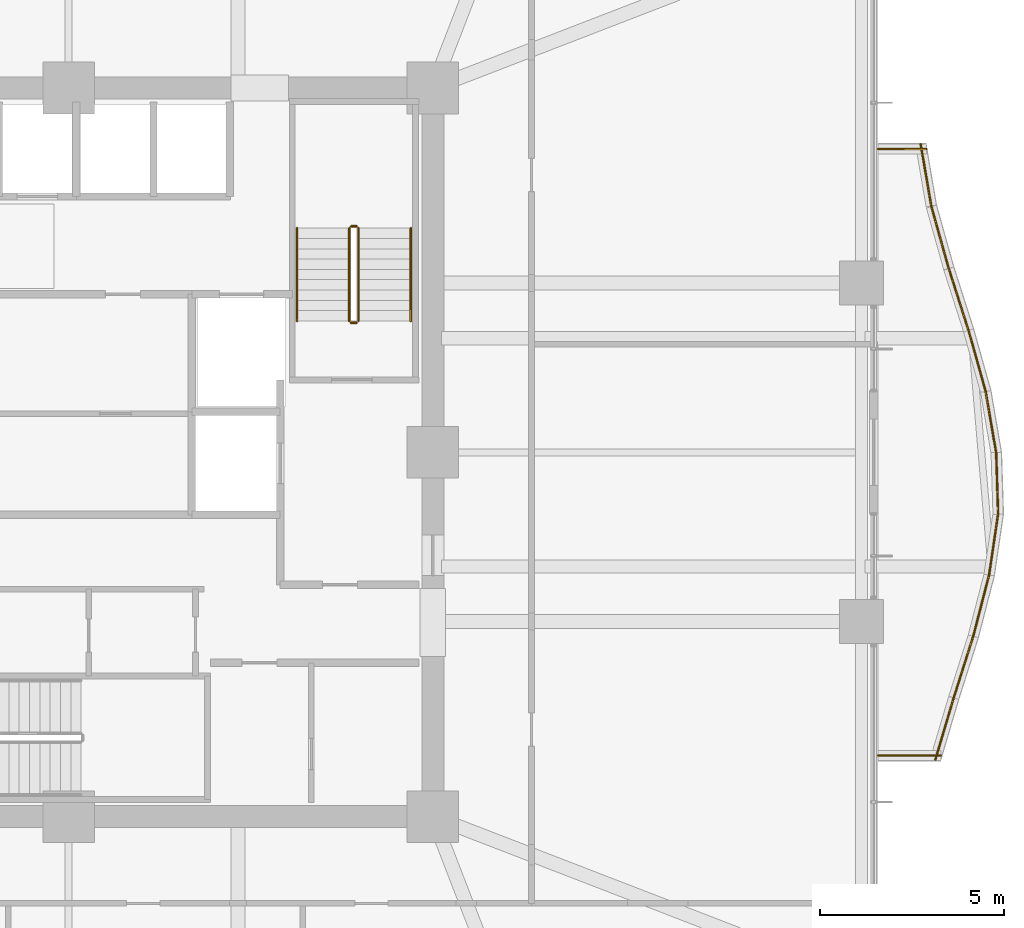
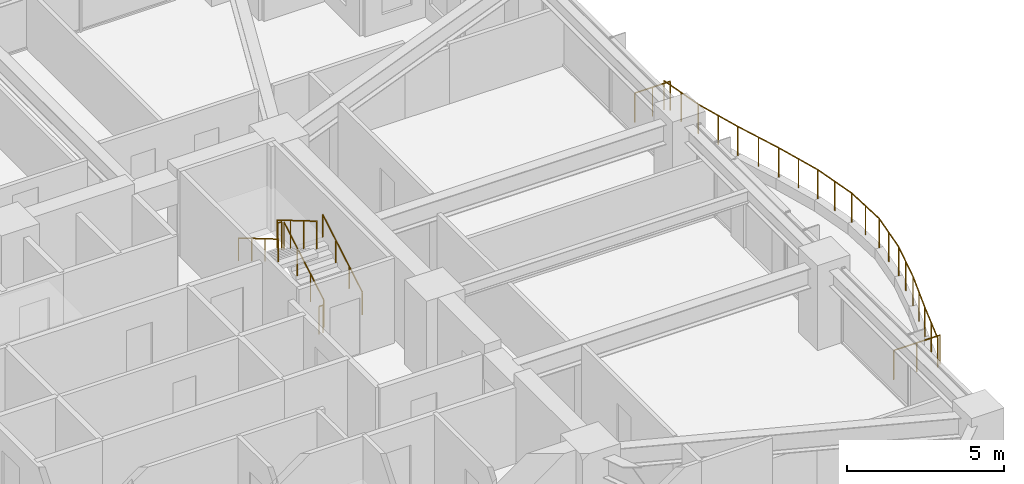
# One storey, part 38 of 38: 18 railings.
"""IFC4 building model written with IfcOpenShell, lengths in metres."""

from ifc_helpers import new_model, si_unit, direction, frame, origin, origin_2d, place, context, subcontext, project, spatial, circle, extrude, material, type_object, element, save


model = new_model("IFC4")

# Units and contexts
model_context = context("Model", 3, precision=1e-05, world=origin(), true_north=direction((0.0, 1.0)))
body_context = subcontext(model_context, "Body", "Model", "MODEL_VIEW")
ifc_project = project(units=[si_unit("LENGTHUNIT", "METRE"), si_unit("AREAUNIT", "SQUARE_METRE"), si_unit("VOLUMEUNIT", "CUBIC_METRE"), si_unit("PLANEANGLEUNIT", "RADIAN"), si_unit("MASSUNIT", "GRAM", prefix="KILO")], contexts=[model_context])

# Site, building, storey
site_placement = place(None, origin())
site = spatial("IfcSite", under=ifc_project, at=site_placement, CompositionType="ELEMENT")
building_placement = place(site_placement, origin())
building = spatial("IfcBuilding", under=site, at=building_placement, Name="Kolvaren Belvedere", CompositionType="ELEMENT")
storey_placement = place(building_placement, frame((0.0, 0.0, 60.10009765625)))
storey = spatial("IfcBuildingStorey", under=building, at=storey_placement, Name="L17", CompositionType="ELEMENT", Elevation=60.10009765625)

# Railings
ifc_material_1 = material(Name="Anodised pale-metal aluminium & laminated glass guard", Category="aluminium")
railing_type_1 = type_object("IfcRailingType", Name="RL-GUARD-1150", PredefinedType="GUARDRAIL", material=ifc_material_1)
railing_1_placement = place(storey_placement, frame((23.5517578125, -8.3544921875, 0.35986328125)))
element("IfcRailing", 1, at=railing_1_placement, inside=storey, type_object=railing_type_1, Name="L17 Exterior Deck Safety Guard BAL-E-1", PredefinedType="GUARDRAIL", context=body_context, shape_type="SweptSolid", body=[
    extrude(circle(Radius=0.02392578125, at=origin_2d()), frame((0.0, 0.0, 1.1259765625), z_axis=(0.284970268083, 0.958536356279, 0.0), x_axis=(-0.958536356279, 0.284970268083, 0.0)), (0.0, 0.0, 1.0), 1.7529296875),
    extrude(circle(Radius=0.02099609375, at=origin_2d()), origin(), (0.0, 0.0, 1.0), 1.101806640625),
    extrude(circle(Radius=0.02099609375, at=origin_2d()), frame((0.249755859375, 0.840087890625, 0.0)), (0.0, 0.0, 1.0), 1.101806640625),
    extrude(circle(Radius=0.02099609375, at=origin_2d()), frame((0.49951171875, 1.68017578125, 0.0)), (0.0, 0.0, 1.0), 1.101806640625),
])
railing_2_placement = place(storey_placement, frame((24.052001953125, -6.671630859375, 0.35986328125)))
element("IfcRailing", 2, at=railing_2_placement, inside=storey, type_object=railing_type_1, Name="L17 Exterior Deck Safety Guard BAL-E-2", PredefinedType="GUARDRAIL", context=body_context, shape_type="SweptSolid", body=[
    extrude(circle(Radius=0.02392578125, at=origin_2d()), frame((0.0, 0.0, 1.1259765625), z_axis=(0.302523204768, 0.953142020151, 0.0), x_axis=(-0.953142020151, 0.302523204768, 0.0)), (0.0, 0.0, 1.0), 1.762451171875),
    extrude(circle(Radius=0.02099609375, at=origin_2d()), origin(), (0.0, 0.0, 1.0), 1.101806640625),
    extrude(circle(Radius=0.02099609375, at=origin_2d()), frame((0.2666015625, 0.83984375, 0.0)), (0.0, 0.0, 1.0), 1.101806640625),
    extrude(circle(Radius=0.02099609375, at=origin_2d()), frame((0.533203125, 1.679931640625, 0.0)), (0.0, 0.0, 1.0), 1.101806640625),
])
railing_3_placement = place(storey_placement, frame((24.582763671875, -5.0, 0.35986328125)))
element("IfcRailing", 3, at=railing_3_placement, inside=storey, type_object=railing_type_1, Name="L17 Exterior Deck Safety Guard BAL-E-3", PredefinedType="GUARDRAIL", context=body_context, shape_type="SweptSolid", body=[
    extrude(circle(Radius=0.02392578125, at=origin_2d()), frame((0.0, 0.0, 1.1259765625), z_axis=(0.250405556038, 0.968141031826, 0.0), x_axis=(-0.968141031826, 0.250405556038, 0.0)), (0.0, 0.0, 1.0), 1.7353515625),
    extrude(circle(Radius=0.02099609375, at=origin_2d()), origin(), (0.0, 0.0, 1.0), 1.101806640625),
    extrude(circle(Radius=0.02099609375, at=origin_2d()), frame((0.21728515625, 0.840087890625, 0.0)), (0.0, 0.0, 1.0), 1.101806640625),
    extrude(circle(Radius=0.02099609375, at=origin_2d()), frame((0.4345703125, 1.68017578125, 0.0)), (0.0, 0.0, 1.0), 1.101806640625),
])
railing_4_placement = place(storey_placement, frame((25.013916015625, -3.336669921875, 0.35986328125)))
element("IfcRailing", 4, at=railing_4_placement, inside=storey, type_object=railing_type_1, Name="L17 Exterior Deck Safety Guard BAL-E-4", PredefinedType="GUARDRAIL", context=body_context, shape_type="SweptSolid", body=[
    extrude(circle(Radius=0.02392578125, at=origin_2d()), frame((0.0, 0.0, 1.1259765625), z_axis=(0.145928579368, 0.989295127716, 0.0), x_axis=(-0.989295127716, 0.145928579368, 0.0)), (0.0, 0.0, 1.0), 1.697998046875),
    extrude(circle(Radius=0.02099609375, at=origin_2d()), origin(), (0.0, 0.0, 1.0), 1.101806640625),
    extrude(circle(Radius=0.02099609375, at=origin_2d()), frame((0.1240234375, 0.83984375, 0.0)), (0.0, 0.0, 1.0), 1.101806640625),
    extrude(circle(Radius=0.02099609375, at=origin_2d()), frame((0.247802734375, 1.679931640625, 0.0)), (0.0, 0.0, 1.0), 1.101806640625),
])
railing_5_placement = place(storey_placement, frame((25.260009765625, -1.68505859375, 0.35986328125)))
element("IfcRailing", 5, at=railing_5_placement, inside=storey, type_object=railing_type_1, Name="L17 Exterior Deck Safety Guard BAL-E-5", PredefinedType="GUARDRAIL", context=body_context, shape_type="SweptSolid", body=[
    extrude(circle(Radius=0.02392578125, at=origin_2d()), frame((0.0, 0.0, 1.1259765625), z_axis=(-0.031370777138, 0.999507816048, 0.0), x_axis=(-0.999507816048, -0.031370777138, 0.0)), (0.0, 0.0, 1.0), 1.680908203125),
    extrude(circle(Radius=0.02099609375, at=origin_2d()), origin(), (0.0, 0.0, 1.0), 1.101806640625),
    extrude(circle(Radius=0.02099609375, at=origin_2d()), frame((-0.0263671875, 0.840087890625, 0.0)), (0.0, 0.0, 1.0), 1.101806640625),
    extrude(circle(Radius=0.02099609375, at=origin_2d()), frame((-0.052734375, 1.68017578125, 0.0)), (0.0, 0.0, 1.0), 1.101806640625),
])
railing_6_placement = place(storey_placement, frame((25.20947265625, -0.027099609375, 0.35986328125)))
element("IfcRailing", 6, at=railing_6_placement, inside=storey, type_object=railing_type_1, Name="L17 Exterior Deck Safety Guard BAL-E-6", PredefinedType="GUARDRAIL", context=body_context, shape_type="SweptSolid", body=[
    extrude(circle(Radius=0.02392578125, at=origin_2d()), frame((0.0, 0.0, 1.1259765625), z_axis=(-0.168856484225, 0.985640648378, 0.0), x_axis=(-0.985640648378, -0.168856484225, 0.0)), (0.0, 0.0, 1.0), 1.70458984375),
    extrude(circle(Radius=0.02099609375, at=origin_2d()), origin(), (0.0, 0.0, 1.0), 1.101806640625),
    extrude(circle(Radius=0.02099609375, at=origin_2d()), frame((-0.14404296875, 0.840087890625, 0.0)), (0.0, 0.0, 1.0), 1.101806640625),
    extrude(circle(Radius=0.02099609375, at=origin_2d()), frame((-0.287841796875, 1.68017578125, 0.0)), (0.0, 0.0, 1.0), 1.101806640625),
])
railing_7_placement = place(storey_placement, frame((24.92529296875, 1.63671875, 0.35986328125)))
element("IfcRailing", 7, at=railing_7_placement, inside=storey, type_object=railing_type_1, Name="L17 Exterior Deck Safety Guard BAL-E-7", PredefinedType="GUARDRAIL", context=body_context, shape_type="SweptSolid", body=[
    extrude(circle(Radius=0.02392578125, at=origin_2d()), frame((0.0, 0.0, 1.1259765625), z_axis=(-0.269764860108, 0.962926227834, 0.0), x_axis=(-0.962926227834, -0.269764860108, 0.0)), (0.0, 0.0, 1.0), 1.744873046875),
    extrude(circle(Radius=0.02099609375, at=origin_2d()), origin(), (0.0, 0.0, 1.0), 1.101806640625),
    extrude(circle(Radius=0.02099609375, at=origin_2d()), frame((-0.2353515625, 0.840087890625, 0.0)), (0.0, 0.0, 1.0), 1.101806640625),
    extrude(circle(Radius=0.02099609375, at=origin_2d()), frame((-0.470703125, 1.68017578125, 0.0)), (0.0, 0.0, 1.0), 1.101806640625),
])
railing_8_placement = place(storey_placement, frame((24.456298828125, 3.311279296875, 0.35986328125)))
element("IfcRailing", 8, at=railing_8_placement, inside=storey, type_object=railing_type_1, Name="L17 Exterior Deck Safety Guard BAL-E-8", PredefinedType="GUARDRAIL", context=body_context, shape_type="SweptSolid", body=[
    extrude(circle(Radius=0.02392578125, at=origin_2d()), frame((0.0, 0.0, 1.1259765625), z_axis=(-0.304660208284, 0.952461105499, 0.0), x_axis=(-0.952461105499, -0.304660208284, 0.0)), (0.0, 0.0, 1.0), 1.763671875),
    extrude(circle(Radius=0.02099609375, at=origin_2d()), origin(), (0.0, 0.0, 1.0), 1.101806640625),
    extrude(circle(Radius=0.02099609375, at=origin_2d()), frame((-0.2685546875, 0.83984375, 0.0)), (0.0, 0.0, 1.0), 1.101806640625),
    extrude(circle(Radius=0.02099609375, at=origin_2d()), frame((-0.537353515625, 1.679931640625, 0.0)), (0.0, 0.0, 1.0), 1.101806640625),
])
railing_9_placement = place(storey_placement, frame((23.917236328125, 4.996826171875, 0.35986328125)))
element("IfcRailing", 9, at=railing_9_placement, inside=storey, type_object=railing_type_1, Name="L17 Exterior Deck Safety Guard BAL-E-9", PredefinedType="GUARDRAIL", context=body_context, shape_type="SweptSolid", body=[
    extrude(circle(Radius=0.02392578125, at=origin_2d()), frame((0.0, 0.0, 1.1259765625), z_axis=(-0.269801210823, 0.962916043401, 0.0), x_axis=(-0.962916043401, -0.269801210823, 0.0)), (0.0, 0.0, 1.0), 1.74462890625),
    extrude(circle(Radius=0.02099609375, at=origin_2d()), origin(), (0.0, 0.0, 1.0), 1.101806640625),
    extrude(circle(Radius=0.02099609375, at=origin_2d()), frame((-0.2353515625, 0.83984375, 0.0)), (0.0, 0.0, 1.0), 1.101806640625),
    extrude(circle(Radius=0.02099609375, at=origin_2d()), frame((-0.470703125, 1.679931640625, 0.0)), (0.0, 0.0, 1.0), 1.101806640625),
])
railing_10_placement = place(storey_placement, frame((23.443115234375, 6.693115234375, 0.35986328125)))
element("IfcRailing", 10, at=railing_10_placement, inside=storey, type_object=railing_type_1, Name="L17 Exterior Deck Safety Guard BAL-E-10", PredefinedType="GUARDRAIL", context=body_context, shape_type="SweptSolid", body=[
    extrude(circle(Radius=0.02392578125, at=origin_2d()), frame((0.0, 0.0, 1.1259765625), z_axis=(-0.16888032392, 0.985636563949, 0.0), x_axis=(-0.985636563949, -0.16888032392, 0.0)), (0.0, 0.0, 1.0), 1.704345703125),
    extrude(circle(Radius=0.02099609375, at=origin_2d()), origin(), (0.0, 0.0, 1.0), 1.101806640625),
    extrude(circle(Radius=0.02099609375, at=origin_2d()), frame((-0.14404296875, 0.83984375, 0.0)), (0.0, 0.0, 1.0), 1.101806640625),
    extrude(circle(Radius=0.02099609375, at=origin_2d()), frame((-0.287841796875, 1.679931640625, 0.0)), (0.0, 0.0, 1.0), 1.101806640625),
])
railing_11_placement = place(storey_placement, frame((23.31298828125, 8.239990234375, 0.35986328125)))
element("IfcRailing", 11, at=railing_11_placement, inside=storey, type_object=railing_type_1, Name="L17 Exterior Deck Safety Guard BAL-E-11", PredefinedType="GUARDRAIL", context=body_context, shape_type="SweptSolid", body=[
    extrude(circle(Radius=0.02392578125, at=origin_2d()), frame((0.0, 0.0, 1.1259765625), z_axis=(-1.0, 0.0, 0.0), x_axis=(0.0, -1.0, 0.0)), (0.0, 0.0, 1.0), 1.31298828125),
    extrude(circle(Radius=0.02099609375, at=origin_2d()), origin(), (0.0, 0.0, 1.0), 1.101806640625),
    extrude(circle(Radius=0.02099609375, at=origin_2d()), frame((-0.656494140625, 0.0, 0.0)), (0.0, 0.0, 1.0), 1.101806640625),
    extrude(circle(Radius=0.02099609375, at=origin_2d()), frame((-1.31298828125, 0.0, 0.0)), (0.0, 0.0, 1.0), 1.101806640625),
])
railing_12_placement = place(storey_placement, frame((22.0, -8.239990234375, 0.35986328125)))
element("IfcRailing", 12, at=railing_12_placement, inside=storey, type_object=railing_type_1, Name="L17 Exterior Deck Safety Guard BAL-E-22", PredefinedType="GUARDRAIL", context=body_context, shape_type="SweptSolid", body=[
    extrude(circle(Radius=0.02392578125, at=origin_2d()), frame((0.0, 0.0, 1.1259765625), z_axis=(1.0, 0.0, 0.0), x_axis=(0.0, 1.0, 0.0)), (0.0, 0.0, 1.0), 1.705078125),
    extrude(circle(Radius=0.02099609375, at=origin_2d()), origin(), (0.0, 0.0, 1.0), 1.101806640625),
    extrude(circle(Radius=0.02099609375, at=origin_2d()), frame((0.8525390625, 0.0, 0.0)), (0.0, 0.0, 1.0), 1.101806640625),
    extrude(circle(Radius=0.02099609375, at=origin_2d()), frame((1.705078125, 0.0, 0.0)), (0.0, 0.0, 1.0), 1.101806640625),
])
ifc_material_2 = material(Name="Brushed stainless-steel handrail", Category="steel")
railing_type_2 = type_object("IfcRailingType", Name="RL-HANDRAIL-920", PredefinedType="HANDRAIL", material=ifc_material_2)
railing_13_placement = place(storey_placement, frame((9.300048828125, 3.570068359375, 0.164794921875)))
element("IfcRailing", 13, at=railing_13_placement, inside=storey, type_object=railing_type_2, Name="L17 ST-2 stair handrail 1", PredefinedType="HANDRAIL", context=body_context, shape_type="SweptSolid", body=[
    extrude(circle(Radius=0.02392578125, at=origin_2d()), frame((0.0, 0.0, 0.8759765625), z_axis=(0.0, 0.86152411907, 0.507716645641), x_axis=(-1.0, 0.0, 0.0)), (0.0, 0.0, 1.0), 2.925048828125),
    extrude(circle(Radius=0.02099609375, at=origin_2d()), origin(), (0.0, 0.0, 1.0), 0.851806640625),
    extrude(circle(Radius=0.02099609375, at=origin_2d()), frame((0.0, 0.840087890625, 0.4951171875)), (0.0, 0.0, 1.0), 0.851806640625),
    extrude(circle(Radius=0.02099609375, at=origin_2d()), frame((0.0, 1.679931640625, 0.989990234375)), (0.0, 0.0, 1.0), 0.851806640625),
    extrude(circle(Radius=0.02099609375, at=origin_2d()), frame((0.0, 2.52001953125, 1.485107421875)), (0.0, 0.0, 1.0), 0.851806640625),
])
railing_14_placement = place(storey_placement, frame((6.2099609375, 6.090087890625, 1.81494140625)))
element("IfcRailing", 14, at=railing_14_placement, inside=storey, type_object=railing_type_2, Name="L17 ST-2 stair handrail 2", PredefinedType="HANDRAIL", context=body_context, shape_type="SweptSolid", body=[
    extrude(circle(Radius=0.02392578125, at=origin_2d()), frame((0.0, 0.0, 0.8759765625), z_axis=(0.0, -0.861560626758, 0.507654692109), x_axis=(1.0, 0.0, 0.0)), (0.0, 0.0, 1.0), 2.925048828125),
    extrude(circle(Radius=0.02099609375, at=origin_2d()), origin(), (0.0, 0.0, 1.0), 0.851806640625),
    extrude(circle(Radius=0.02099609375, at=origin_2d()), frame((0.0, -0.840087890625, 0.494873046875)), (0.0, 0.0, 1.0), 0.851806640625),
    extrude(circle(Radius=0.02099609375, at=origin_2d()), frame((0.0, -1.679931640625, 0.989990234375)), (0.0, 0.0, 1.0), 0.851806640625),
    extrude(circle(Radius=0.02099609375, at=origin_2d()), frame((0.0, -2.52001953125, 1.48486328125)), (0.0, 0.0, 1.0), 0.851806640625),
])
ifc_material_3 = material(Name="Painted tubular steel stair guard", Category="steel")
railing_type_3 = type_object("IfcRailingType", Name="RL-STGUARD-1100", PredefinedType="GUARDRAIL", material=ifc_material_3)
railing_15_placement = place(storey_placement, frame((7.8798828125, 3.570068359375, 0.164794921875)))
element("IfcRailing", 15, at=railing_15_placement, inside=storey, type_object=railing_type_3, Name="L17 ST-2 stair guard 1", PredefinedType="GUARDRAIL", context=body_context, shape_type="SweptSolid", body=[
    extrude(circle(Radius=0.02392578125, at=origin_2d()), frame((0.0, 0.0, 1.076171875), z_axis=(0.0, 0.86152411907, 0.507716645641), x_axis=(-1.0, 0.0, 0.0)), (0.0, 0.0, 1.0), 2.925048828125),
    extrude(circle(Radius=0.02099609375, at=origin_2d()), origin(), (0.0, 0.0, 1.0), 1.052001953125),
    extrude(circle(Radius=0.02099609375, at=origin_2d()), frame((0.0, 0.840087890625, 0.4951171875)), (0.0, 0.0, 1.0), 1.052001953125),
    extrude(circle(Radius=0.02099609375, at=origin_2d()), frame((0.0, 1.679931640625, 0.989990234375)), (0.0, 0.0, 1.0), 1.052001953125),
    extrude(circle(Radius=0.02099609375, at=origin_2d()), frame((0.0, 2.52001953125, 1.485107421875)), (0.0, 0.0, 1.0), 1.052001953125),
])
railing_16_placement = place(storey_placement, frame((7.830078125, 6.139892578125, 1.64990234375)))
element("IfcRailing", 16, at=railing_16_placement, inside=storey, type_object=railing_type_3, Name="L17 ST-2 stair guard 2", PredefinedType="GUARDRAIL", context=body_context, shape_type="SweptSolid", body=[
    extrude(circle(Radius=0.02392578125, at=origin_2d()), frame((0.0, 0.0, 1.076171875), z_axis=(-1.0, 0.0, 0.0), x_axis=(0.0, -1.0, 0.0)), (0.0, 0.0, 1.0), 0.150146484375),
    extrude(circle(Radius=0.02099609375, at=origin_2d()), origin(), (0.0, 0.0, 1.0), 1.052001953125),
    extrude(circle(Radius=0.02099609375, at=origin_2d()), frame((-0.150146484375, 0.0, 0.0)), (0.0, 0.0, 1.0), 1.052001953125),
])
railing_17_placement = place(storey_placement, frame((7.6298828125, 6.090087890625, 1.81494140625)))
element("IfcRailing", 17, at=railing_17_placement, inside=storey, type_object=railing_type_3, Name="L17 ST-2 stair guard 3", PredefinedType="GUARDRAIL", context=body_context, shape_type="SweptSolid", body=[
    extrude(circle(Radius=0.02392578125, at=origin_2d()), frame((0.0, 0.0, 1.076171875), z_axis=(0.0, -0.861560626758, 0.507654692109), x_axis=(1.0, 0.0, 0.0)), (0.0, 0.0, 1.0), 2.925048828125),
    extrude(circle(Radius=0.02099609375, at=origin_2d()), origin(), (0.0, 0.0, 1.0), 1.052001953125),
    extrude(circle(Radius=0.02099609375, at=origin_2d()), frame((0.0, -0.840087890625, 0.494873046875)), (0.0, 0.0, 1.0), 1.052001953125),
    extrude(circle(Radius=0.02099609375, at=origin_2d()), frame((0.0, -1.679931640625, 0.989990234375)), (0.0, 0.0, 1.0), 1.052001953125),
    extrude(circle(Radius=0.02099609375, at=origin_2d()), frame((0.0, -2.52001953125, 1.48486328125)), (0.0, 0.0, 1.0), 1.052001953125),
])
railing_18_placement = place(storey_placement, frame((7.830078125, 3.52001953125, 0.0)))
element("IfcRailing", 18, at=railing_18_placement, inside=storey, type_object=railing_type_3, Name="L17 ST-2 stair guard 4", PredefinedType="GUARDRAIL", context=body_context, shape_type="SweptSolid", body=[
    extrude(circle(Radius=0.02392578125, at=origin_2d()), frame((0.0, 0.0, 1.076171875), z_axis=(-1.0, 0.0, 0.0), x_axis=(0.0, -1.0, 0.0)), (0.0, 0.0, 1.0), 0.150146484375),
    extrude(circle(Radius=0.02099609375, at=origin_2d()), origin(), (0.0, 0.0, 1.0), 1.052001953125),
    extrude(circle(Radius=0.02099609375, at=origin_2d()), frame((-0.150146484375, 0.0, 0.0)), (0.0, 0.0, 1.0), 1.052001953125),
])

save(model, "model.ifc")
